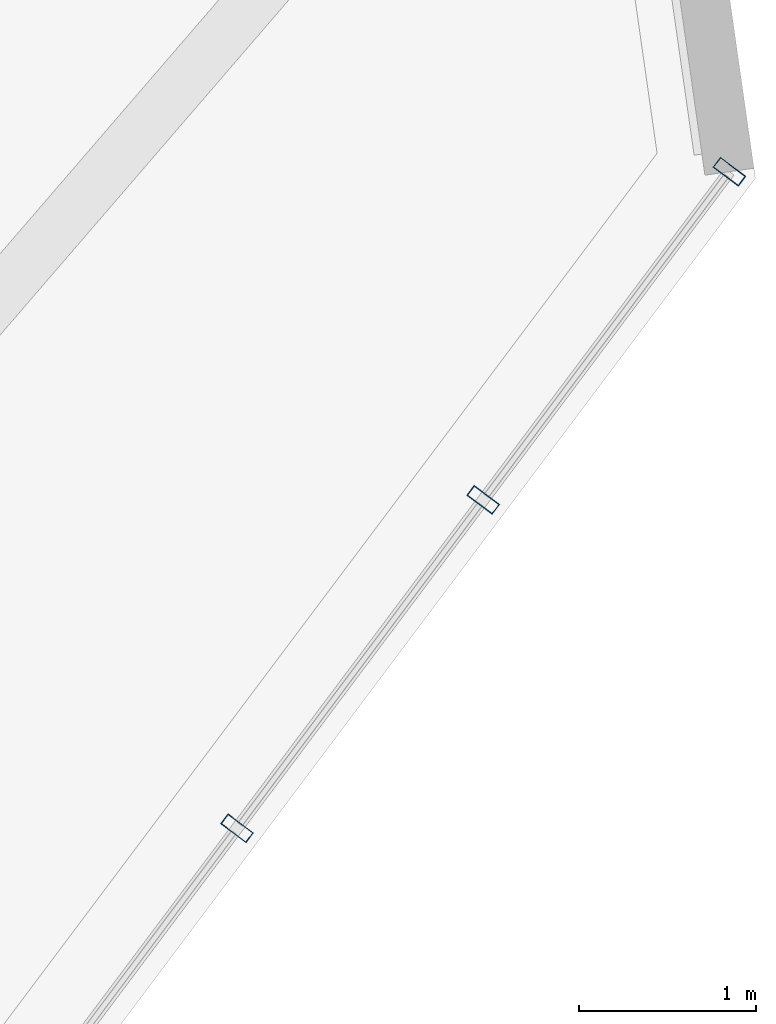
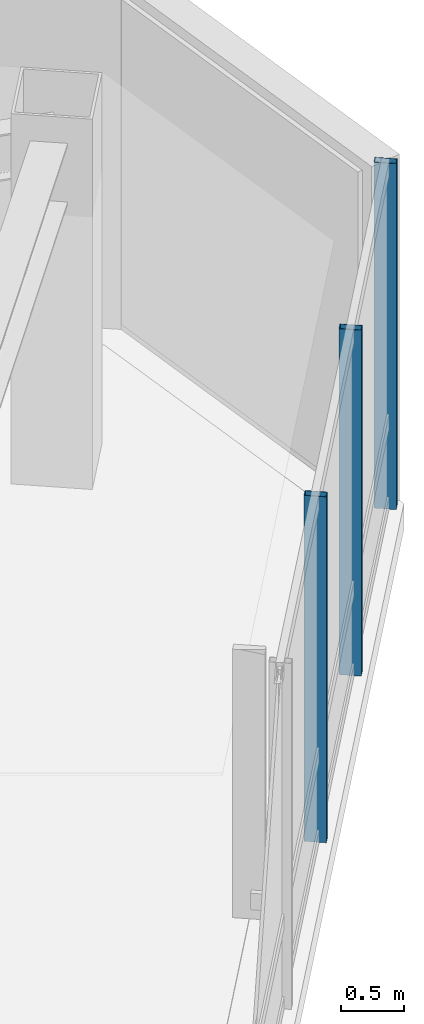
# One storey, part 13 of 22: 3 members, 1 element without a shape of its own.
"""IFC4 building model written with IfcOpenShell, lengths in metres."""

from ifc_helpers import new_model, si_unit, direction, frame, origin, origin_2d, place, context, subcontext, project, spatial, hollow_rectangle, extrude, material, layer, layer_set, material_profile, profile_set, type_object, element, aggregate, save


model = new_model("IFC4")

# Units and contexts
model_context = context("Model", 3, precision=1e-05, world=origin(), true_north=direction((0.0, 1.0)))
body_context = subcontext(model_context, "Body", "Model", "MODEL_VIEW")
ifc_project = project(units=[si_unit("LENGTHUNIT", "METRE"), si_unit("AREAUNIT", "SQUARE_METRE"), si_unit("VOLUMEUNIT", "CUBIC_METRE"), si_unit("PLANEANGLEUNIT", "RADIAN"), si_unit("MASSUNIT", "GRAM", prefix="KILO")], contexts=[model_context])

# Site, building, storey
site_placement = place(None, origin())
site = spatial("IfcSite", under=ifc_project, at=site_placement, CompositionType="ELEMENT")
building_placement = place(site_placement, origin())
building = spatial("IfcBuilding", under=site, at=building_placement, Name="Hatsunagi Terrace Concourse", CompositionType="ELEMENT")
storey_placement = place(building_placement, frame((0.0, 0.0, 239.550048828125)))
storey = spatial("IfcBuildingStorey", under=building, at=storey_placement, Name="L63", CompositionType="ELEMENT", Elevation=239.550048828125)

# Curtain wall, members
ifc_material_1 = material(Name="Anodised Aluminium Alloy 6063-T5", Category="aluminium")
ifc_layer = layer(ifc_material_1, 0.199951171875)
ifc_layer_set = layer_set([ifc_layer], Name="OfficeZone2_CW04")
curtain_wall_type = type_object("IfcCurtainWallType", Name="OfficeZone2_CW04", PredefinedType="NOTDEFINED", material=ifc_layer_set)
curtain_wall_placement = place(storey_placement, origin())
curtain_wall = element("IfcCurtainWall", 1, at=curtain_wall_placement, inside=storey, type_object=curtain_wall_type, Name="Unitised Curtain Wall CW-04 CW-L63-03", PredefinedType="NOTDEFINED")
ifc_material_2 = material(Name="Anodised Aluminium Alloy 6063-T5", Category="aluminium")
ifc_material_profile = material_profile(ifc_material_2, hollow_rectangle(XDim=0.070068359375, YDim=0.179931640625, WallThickness=0.00390625, at=origin_2d()), Name="ALU-MUL-180x70x4")
ifc_profile_set = profile_set([ifc_material_profile], Name="Anodised Aluminium Alloy 6063-T5")
member_type = type_object("IfcMemberType", Name="CurtainWallMullion_180x70", PredefinedType="MULLION", material=ifc_profile_set)
member_1_placement = place(storey_placement, frame((53.492919921875, 31.35791015625, 0.0), z_axis=(0.0, 0.0, 1.0), x_axis=(-0.599969314634, -0.800023013105, 0.0)))
member_1 = element("IfcMember", 2, at=member_1_placement, type_object=member_type, Name="Curtain Wall Mullion MUL-02", PredefinedType="MULLION", context=body_context, shape_type="SweptSolid", body=[
    extrude(hollow_rectangle(XDim=0.070068359375, YDim=0.179931640625, WallThickness=0.00390625, at=origin_2d()), origin(), (0.0, 0.0, 1.0), 3.349853515625),
])
member_2_placement = place(storey_placement, frame((52.10107421875, 29.501953125, 0.0), z_axis=(0.0, 0.0, 1.0), x_axis=(-0.599969314634, -0.800023013105, 0.0)))
member_2 = element("IfcMember", 3, at=member_2_placement, type_object=member_type, Name="Curtain Wall Mullion MUL-02", PredefinedType="MULLION", context=body_context, shape_type="SweptSolid", body=[
    extrude(hollow_rectangle(XDim=0.070068359375, YDim=0.179931640625, WallThickness=0.00390625, at=origin_2d()), origin(), (0.0, 0.0, 1.0), 3.349853515625),
])
member_3_placement = place(storey_placement, frame((50.708984375, 27.64501953125, 0.0), z_axis=(0.0, 0.0, 1.0), x_axis=(-0.599969314634, -0.800023013105, 0.0)))
member_3 = element("IfcMember", 4, at=member_3_placement, type_object=member_type, Name="Curtain Wall Mullion MUL-02", PredefinedType="MULLION", context=body_context, shape_type="SweptSolid", body=[
    extrude(hollow_rectangle(XDim=0.070068359375, YDim=0.179931640625, WallThickness=0.00390625, at=origin_2d()), origin(), (0.0, 0.0, 1.0), 3.349853515625),
])
aggregate(curtain_wall, [member_1, member_2, member_3])

save(model, "model.ifc")
